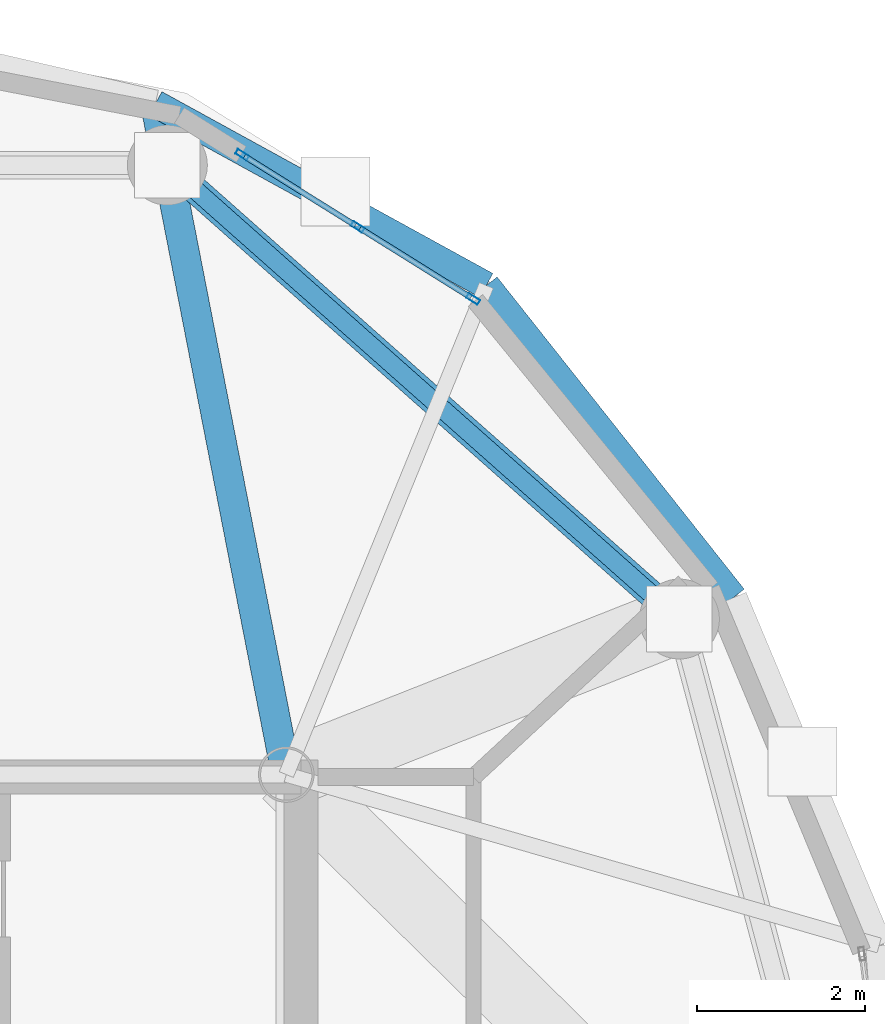
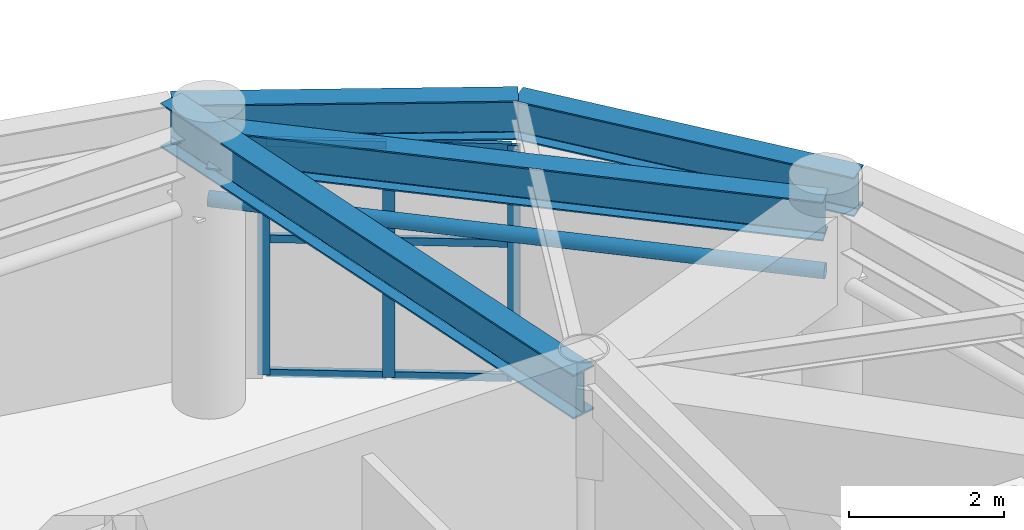
# One storey, part 11 of 28: 10 members, 4 beams, 1 element without a shape of its own.
"""IFC4 building model written with IfcOpenShell, lengths in metres."""

from ifc_helpers import new_model, si_unit, direction, frame, origin, origin_2d, place, context, subcontext, project, spatial, hollow_rectangle, hollow_circle, i_section, extrude, material, layer, layer_set, material_profile, profile_set, type_object, element, aggregate, save


model = new_model("IFC4")

# Units and contexts
model_context = context("Model", 3, precision=1e-05, world=origin(), true_north=direction((0.0, 1.0)))
body_context = subcontext(model_context, "Body", "Model", "MODEL_VIEW")
ifc_project = project(units=[si_unit("LENGTHUNIT", "METRE"), si_unit("AREAUNIT", "SQUARE_METRE"), si_unit("VOLUMEUNIT", "CUBIC_METRE"), si_unit("PLANEANGLEUNIT", "RADIAN"), si_unit("MASSUNIT", "GRAM", prefix="KILO")], contexts=[model_context])

# Site, building, storey
site_placement = place(None, origin())
site = spatial("IfcSite", under=ifc_project, at=site_placement, CompositionType="ELEMENT")
building_placement = place(site_placement, origin())
building = spatial("IfcBuilding", under=site, at=building_placement, Name="Cununo Teusaquillo Station Towers", CompositionType="ELEMENT")
storey_placement = place(building_placement, frame((0.0, 0.0, 235.64990234375)))
storey = spatial("IfcBuildingStorey", under=building, at=storey_placement, Name="L75", CompositionType="ELEMENT", Elevation=235.64990234375)

# Beams
ifc_material_1 = material(Name="Steel ASTM A572 Grade 50", Category="steel")
ifc_material_profile_1 = material_profile(ifc_material_1, i_section(OverallWidth=0.35498046875, OverallDepth=0.696044921875, WebThickness=0.015380859375, FlangeThickness=0.02490234375, FilletRadius=0.01806640625, at=origin_2d()), Name="W27X146")
ifc_profile_set_1 = profile_set([ifc_material_profile_1], Name="Steel ASTM A572 Grade 50")
beam_type_1 = type_object("IfcBeamType", Name="BM-PLNT-G1", PredefinedType="BEAM", material=ifc_profile_set_1)
beam_1_placement = place(storey_placement, frame((21.675048828125, 31.3798828125, 3.9921875), z_axis=(-0.191548487699, 0.981483151593, 0.0), x_axis=(-0.981483151593, -0.191548487699, 0.0)))
element("IfcBeam", 1, at=beam_1_placement, inside=storey, type_object=beam_type_1, Name="L75 Tower A Continuous Overhanging Radial Girder 03", PredefinedType="BEAM", context=body_context, shape_type="SweptSolid", body=[
    extrude(i_section(OverallWidth=0.35498046875, OverallDepth=0.696044921875, WebThickness=0.015380859375, FlangeThickness=0.02490234375, FilletRadius=0.01806640625, at=origin_2d()), origin(), (0.0, 0.0, 1.0), 8.1240234375),
])
ifc_material_2 = material(Name="Steel ASTM A572 Grade 50", Category="steel")
ifc_material_profile_2 = material_profile(ifc_material_2, i_section(OverallWidth=0.324951171875, OverallDepth=0.615966796875, WebThickness=0.013916015625, FlangeThickness=0.021484375, FilletRadius=0.01611328125, at=origin_2d()), Name="W24X117")
ifc_profile_set_2 = profile_set([ifc_material_profile_2], Name="Steel ASTM A572 Grade 50")
beam_type_2 = type_object("IfcBeamType", Name="BM-PLNT-G2", PredefinedType="BEAM", material=ifc_profile_set_2)
beam_2_placement = place(storey_placement, frame((26.347412109375, 33.228515625, 4.031982421875), z_axis=(-0.74832120039, 0.66333655187, 0.0), x_axis=(-0.66333655187, -0.74832120039, 0.0)))
element("IfcBeam", 2, at=beam_2_placement, inside=storey, type_object=beam_type_2, Name="L75 Tower A Structural Column Ring Girder 02", PredefinedType="BEAM", context=body_context, shape_type="SweptSolid", body=[
    extrude(i_section(OverallWidth=0.324951171875, OverallDepth=0.615966796875, WebThickness=0.013916015625, FlangeThickness=0.021484375, FilletRadius=0.01611328125, at=origin_2d()), origin(), (0.0, 0.0, 1.0), 8.1328125),
])
beam_3_placement = place(storey_placement, frame((26.990478515625, 33.483154296875, 4.031982421875), z_axis=(-0.620710872531, 0.784039547932, 0.0), x_axis=(-0.784039547932, -0.620710872531, 0.0)))
element("IfcBeam", 3, at=beam_3_placement, inside=storey, type_object=beam_type_2, Name="L75 Tower A Spandrel Ring Beam 03", PredefinedType="BEAM", context=body_context, shape_type="SweptSolid", body=[
    extrude(i_section(OverallWidth=0.324951171875, OverallDepth=0.615966796875, WebThickness=0.013916015625, FlangeThickness=0.021484375, FilletRadius=0.01611328125, at=origin_2d()), origin(), (0.0, 0.0, 1.0), 4.732421875),
])
beam_4_placement = place(storey_placement, frame((24.052978515625, 37.193603515625, 4.031982421875), z_axis=(-0.876576300909, 0.481262910149, 0.0), x_axis=(-0.481262910149, -0.876576300909, 0.0)))
element("IfcBeam", 4, at=beam_4_placement, inside=storey, type_object=beam_type_2, Name="L75 Tower A Spandrel Ring Beam 04", PredefinedType="BEAM", context=body_context, shape_type="SweptSolid", body=[
    extrude(i_section(OverallWidth=0.324951171875, OverallDepth=0.615966796875, WebThickness=0.013916015625, FlangeThickness=0.021484375, FilletRadius=0.01611328125, at=origin_2d()), origin(), (0.0, 0.0, 1.0), 4.488037109375),
])

# Curtain wall, members
ifc_material_3 = material(Name="Ceramic-fritted dark low-E double glazing", Category="glass")
ifc_layer = layer(ifc_material_3, 0.179931640625)
ifc_layer_set = layer_set([ifc_layer], Name="Ceramic-fritted dark low-E double glazing")
curtain_wall_type = type_object("IfcCurtainWallType", Name="CW-SYS-08", PredefinedType="USERDEFINED", material=ifc_layer_set)
curtain_wall_placement = place(storey_placement, origin())
curtain_wall = element("IfcCurtainWall", 5, at=curtain_wall_placement, inside=storey, type_object=curtain_wall_type, Name="L75 Tower A Crown Drum Glazed Screen C03", ObjectType="FRITTED GLAZING", PredefinedType="USERDEFINED")
ifc_material_4 = material(Name="Anodised dark bronze aluminium EN AW-6063-T6", Category="aluminium")
ifc_material_profile_3 = material_profile(ifc_material_4, hollow_rectangle(XDim=0.06494140625, YDim=0.159912109375, WallThickness=0.00390625, at=origin_2d()), Name="CW-MULL-65x160")
ifc_profile_set_3 = profile_set([ifc_material_profile_3], Name="Anodised dark bronze aluminium EN AW-6063-T6")
member_type_1 = type_object("IfcMemberType", Name="CWM-160", PredefinedType="MULLION", material=ifc_profile_set_3)
member_1_placement = place(storey_placement, frame((21.151611328125, 38.74560546875, 0.0), z_axis=(0.0, 0.0, 1.0), x_axis=(0.529451366729, 0.848340291551, 0.0)))
member_1 = element("IfcMember", 6, at=member_1_placement, type_object=member_type_1, Name="CW-08 mullion 1", PredefinedType="MULLION", context=body_context, shape_type="SweptSolid", body=[
    extrude(hollow_rectangle(XDim=0.06494140625, YDim=0.159912109375, WallThickness=0.00390625, at=origin_2d()), origin(), (0.0, 0.0, 1.0), 3.696044921875),
])
member_2_placement = place(storey_placement, frame((22.52392578125, 37.88916015625, 0.0), z_axis=(0.0, 0.0, 1.0), x_axis=(0.529451366729, 0.848340291551, 0.0)))
member_2 = element("IfcMember", 7, at=member_2_placement, type_object=member_type_1, Name="CW-08 mullion 2", PredefinedType="MULLION", context=body_context, shape_type="SweptSolid", body=[
    extrude(hollow_rectangle(XDim=0.06494140625, YDim=0.159912109375, WallThickness=0.00390625, at=origin_2d()), origin(), (0.0, 0.0, 1.0), 3.696044921875),
])
member_3_placement = place(storey_placement, frame((23.896240234375, 37.03271484375, 0.0), z_axis=(0.0, 0.0, 1.0), x_axis=(0.529451366729, 0.848340291551, 0.0)))
member_3 = element("IfcMember", 8, at=member_3_placement, type_object=member_type_1, Name="CW-08 mullion 3", PredefinedType="MULLION", context=body_context, shape_type="SweptSolid", body=[
    extrude(hollow_rectangle(XDim=0.06494140625, YDim=0.159912109375, WallThickness=0.00390625, at=origin_2d()), origin(), (0.0, 0.0, 1.0), 3.696044921875),
])
ifc_material_5 = material(Name="Anodised dark bronze aluminium EN AW-6063-T6", Category="aluminium")
ifc_material_profile_4 = material_profile(ifc_material_5, hollow_rectangle(XDim=0.06494140625, YDim=0.1201171875, WallThickness=0.00390625, at=origin_2d()), Name="CW-TRAN-65x120")
ifc_profile_set_4 = profile_set([ifc_material_profile_4], Name="Anodised dark bronze aluminium EN AW-6063-T6")
member_type_2 = type_object("IfcMemberType", Name="CWT-120", PredefinedType="USERDEFINED", material=ifc_profile_set_4)
member_4_placement = place(storey_placement, frame((21.17919921875, 38.728271484375, 0.03271484375), z_axis=(0.848342652785, -0.529447583304, 0.0), x_axis=(0.529447583304, 0.848342652785, 0.0)))
member_4 = element("IfcMember", 9, at=member_4_placement, type_object=member_type_2, Name="CW-08 transom 1.1", ObjectType="TRANSOM", PredefinedType="USERDEFINED", context=body_context, shape_type="SweptSolid", body=[
    extrude(hollow_rectangle(XDim=0.06494140625, YDim=0.1201171875, WallThickness=0.00390625, at=origin_2d()), origin(), (0.0, 0.0, 1.0), 1.552490234375),
])
member_5_placement = place(storey_placement, frame((21.17919921875, 38.728271484375, 2.150146484375), z_axis=(0.848342652785, -0.529447583304, 0.0), x_axis=(0.529447583304, 0.848342652785, 0.0)))
member_5 = element("IfcMember", 10, at=member_5_placement, type_object=member_type_2, Name="CW-08 transom 1.2", ObjectType="TRANSOM", PredefinedType="USERDEFINED", context=body_context, shape_type="SweptSolid", body=[
    extrude(hollow_rectangle(XDim=0.06494140625, YDim=0.1201171875, WallThickness=0.00390625, at=origin_2d()), origin(), (0.0, 0.0, 1.0), 1.552490234375),
])
member_6_placement = place(storey_placement, frame((21.17919921875, 38.728271484375, 3.66357421875), z_axis=(0.848342652785, -0.529447583304, 0.0), x_axis=(0.529447583304, 0.848342652785, 0.0)))
member_6 = element("IfcMember", 11, at=member_6_placement, type_object=member_type_2, Name="CW-08 transom 1.3", ObjectType="TRANSOM", PredefinedType="USERDEFINED", context=body_context, shape_type="SweptSolid", body=[
    extrude(hollow_rectangle(XDim=0.06494140625, YDim=0.1201171875, WallThickness=0.00390625, at=origin_2d()), origin(), (0.0, 0.0, 1.0), 1.552490234375),
])
member_7_placement = place(storey_placement, frame((22.551513671875, 37.871826171875, 0.03271484375), z_axis=(0.848342652785, -0.529447583304, 0.0), x_axis=(0.529447583304, 0.848342652785, 0.0)))
member_7 = element("IfcMember", 12, at=member_7_placement, type_object=member_type_2, Name="CW-08 transom 2.1", ObjectType="TRANSOM", PredefinedType="USERDEFINED", context=body_context, shape_type="SweptSolid", body=[
    extrude(hollow_rectangle(XDim=0.06494140625, YDim=0.1201171875, WallThickness=0.00390625, at=origin_2d()), origin(), (0.0, 0.0, 1.0), 1.552490234375),
])
member_8_placement = place(storey_placement, frame((22.551513671875, 37.871826171875, 2.150146484375), z_axis=(0.848342652785, -0.529447583304, 0.0), x_axis=(0.529447583304, 0.848342652785, 0.0)))
member_8 = element("IfcMember", 13, at=member_8_placement, type_object=member_type_2, Name="CW-08 transom 2.2", ObjectType="TRANSOM", PredefinedType="USERDEFINED", context=body_context, shape_type="SweptSolid", body=[
    extrude(hollow_rectangle(XDim=0.06494140625, YDim=0.1201171875, WallThickness=0.00390625, at=origin_2d()), origin(), (0.0, 0.0, 1.0), 1.552490234375),
])
member_9_placement = place(storey_placement, frame((22.551513671875, 37.871826171875, 3.66357421875), z_axis=(0.848342652785, -0.529447583304, 0.0), x_axis=(0.529447583304, 0.848342652785, 0.0)))
member_9 = element("IfcMember", 14, at=member_9_placement, type_object=member_type_2, Name="CW-08 transom 2.3", ObjectType="TRANSOM", PredefinedType="USERDEFINED", context=body_context, shape_type="SweptSolid", body=[
    extrude(hollow_rectangle(XDim=0.06494140625, YDim=0.1201171875, WallThickness=0.00390625, at=origin_2d()), origin(), (0.0, 0.0, 1.0), 1.552490234375),
])
aggregate(curtain_wall, [member_1, member_2, member_3, member_4, member_5, member_6, member_7, member_8, member_9])

# Member
ifc_material_6 = material(Name="Steel EN 10025-2 S355J2", Category="steel")
ifc_material_profile_5 = material_profile(ifc_material_6, hollow_circle(Radius=0.109619140625, WallThickness=0.010009765625, at=origin_2d()), Name="CHS 219x10")
ifc_profile_set_5 = profile_set([ifc_material_profile_5], Name="Steel EN 10025-2 S355J2")
member_type_3 = type_object("IfcMemberType", Name="MBR-DRUM-COL", PredefinedType="COLLAR", material=ifc_profile_set_5)
member_10_placement = place(storey_placement, frame((26.347412109375, 33.228515625, 3.150146484375), z_axis=(-0.74832120039, 0.66333655187, 0.0), x_axis=(-0.66333655187, -0.74832120039, 0.0)))
element("IfcMember", 15, at=member_10_placement, inside=storey, type_object=member_type_3, Name="L75 Tower A Crown Drum Collar 02", PredefinedType="COLLAR", context=body_context, shape_type="SweptSolid", body=[
    extrude(hollow_circle(Radius=0.109619140625, WallThickness=0.010009765625, at=origin_2d()), origin(), (0.0, 0.0, 1.0), 8.1328125),
])

save(model, "model.ifc")
